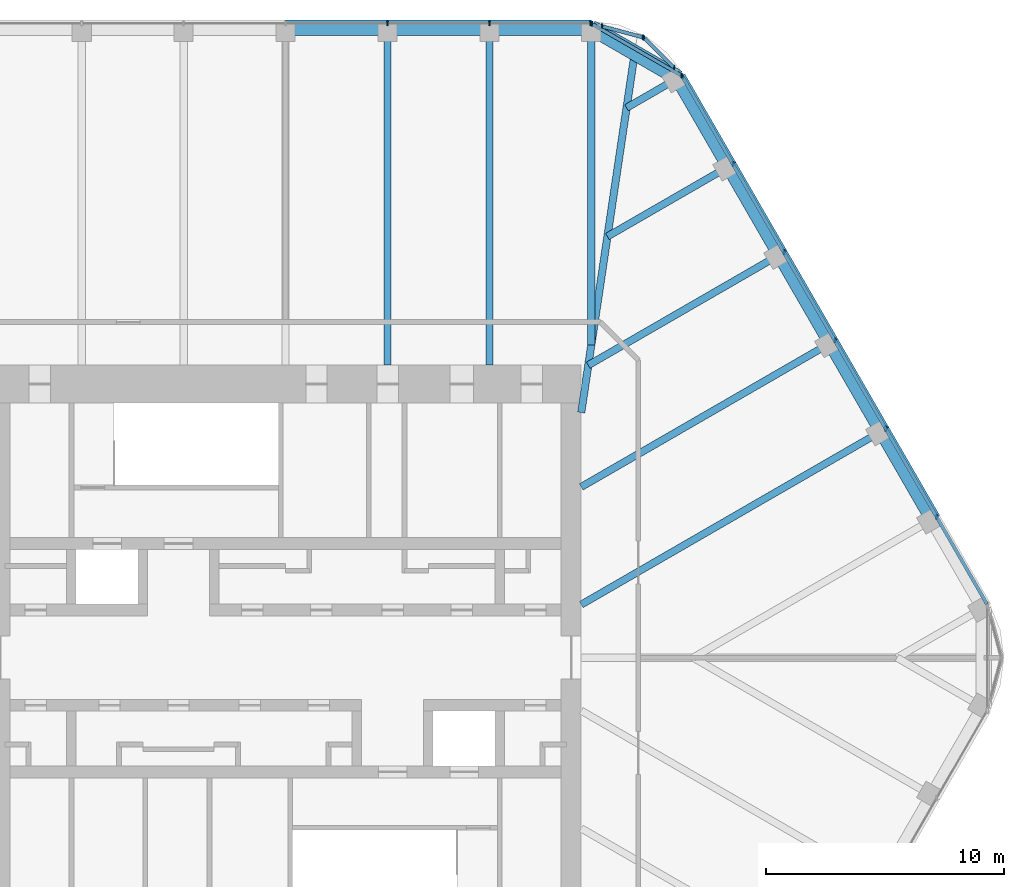
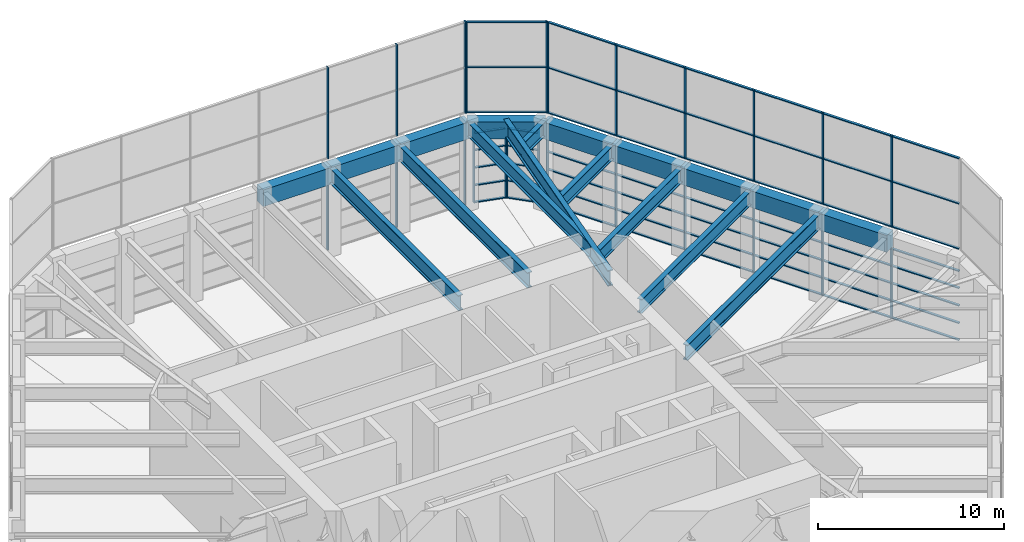
# One storey, part 9 of 17: 45 members, 18 beams, 7 elements without a shape of their own.
"""IFC4 building model written with IfcOpenShell, lengths in metres."""

import ifcopenshell
import ifcopenshell.guid

model = None  # the IFC model being written
_history = None  # IfcOwnerHistory: only IFC2X3 demands one
_inside = {}  # id of a spatial element -> (the spatial element, [elements in it])
_under = {}  # id of a project, library or spatial element -> (it, [spatial elements below it])
_declared = {}  # id of a project -> (the project, [libraries it declares])
_typed = {}  # id of a type object -> (the type object, [elements of that type])
_made_of = {}  # id of a material, layer set ... -> (it, [elements and type objects made of it])


def new_model(schema):
    """Start an empty IFC model of exactly this schema.

    Asked for "IFC4X3", IfcOpenShell would pick the latest addendum, in which some entities
    have other attributes; the version numbers below select the first issue.
    IFC2X3 requires an IfcOwnerHistory on every rooted entity: one is made here for all.
    """
    global model, _history
    if schema == "IFC4X3":
        model = ifcopenshell.file(schema_version=(4, 3, 0, 0))
    else:
        model = ifcopenshell.file(schema=schema)
    _inside.clear()
    _under.clear()
    _declared.clear()
    _typed.clear()
    _made_of.clear()
    _history = None
    if model.schema == "IFC2X3":
        org = make("IfcOrganization", Name="unknown")
        user = make(
            "IfcPersonAndOrganization",
            ThePerson=make("IfcPerson", FamilyName="unknown"),
            TheOrganization=org,
        )
        app = make(
            "IfcApplication",
            ApplicationDeveloper=org,
            Version="unknown",
            ApplicationFullName="unknown",
            ApplicationIdentifier="unknown",
        )
        _history = make(
            "IfcOwnerHistory",
            OwningUser=user,
            OwningApplication=app,
            ChangeAction="ADDED",
            CreationDate=0,
        )
    return model


def make(cls, **values):
    """One entity of the class cls with the attributes given. An attribute that is None is left unset."""
    return model.create_entity(
        cls, **{name: value for name, value in values.items() if value is not None}
    )


def rooted(cls, **values):
    """An entity with a GlobalId (a new one), such as an element, a storey or a relation."""
    return make(cls, GlobalId=ifcopenshell.guid.new(), OwnerHistory=_history, **values)


def si_unit(unit_type, name, prefix=None):
    """IfcSIUnit, for example si_unit("LENGTHUNIT", "METRE", prefix="MILLI")."""
    return make("IfcSIUnit", UnitType=unit_type, Prefix=prefix, Name=name)


def assignment(units):
    """IfcUnitAssignment: the units of a project."""
    return None if units is None else make("IfcUnitAssignment", Units=units)


def point(xyz):
    """IfcCartesianPoint."""
    return None if xyz is None else make("IfcCartesianPoint", Coordinates=xyz)


def direction(xyz):
    """IfcDirection."""
    return None if xyz is None else make("IfcDirection", DirectionRatios=xyz)


def frame(location, z_axis=None, x_axis=None):
    """IfcAxis2Placement3D, a coordinate frame: its origin and axes. An axis left out is left unset."""
    return make(
        "IfcAxis2Placement3D",
        Location=point(location),
        Axis=direction(z_axis),
        RefDirection=direction(x_axis),
    )


def frame_2d(location, x_axis=None):
    """IfcAxis2Placement2D, a coordinate frame in the plane: its origin and x axis."""
    return make(
        "IfcAxis2Placement2D", Location=point(location), RefDirection=direction(x_axis)
    )


def origin():
    """The frame at (0, 0, 0) with its axes left unset."""
    return frame((0.0, 0.0, 0.0))


def origin_2d():
    """The frame at (0, 0) in the plane with its x axis left unset."""
    return frame_2d((0.0, 0.0))


def place(relative_to, where):
    """IfcLocalPlacement: puts the frame where relative to a parent placement (None: the world)."""
    return make(
        "IfcLocalPlacement", PlacementRelTo=relative_to, RelativePlacement=where
    )


def context(
    kind, dimensions, precision=None, world=None, true_north=None, identifier=None
):
    """IfcGeometricRepresentationContext, for example the 3D "Model" context."""
    return make(
        "IfcGeometricRepresentationContext",
        ContextIdentifier=identifier,
        ContextType=kind,
        CoordinateSpaceDimension=dimensions,
        Precision=precision,
        WorldCoordinateSystem=world,
        TrueNorth=true_north,
    )


def subcontext(parent, identifier, kind, view, scale=None):
    """IfcGeometricRepresentationSubContext, for example "Body" below "Model"."""
    return make(
        "IfcGeometricRepresentationSubContext",
        ContextIdentifier=identifier,
        ContextType=kind,
        ParentContext=parent,
        TargetScale=scale,
        TargetView=view,
    )


def project(units=None, contexts=None):
    """IfcProject with its units and contexts."""
    return rooted(
        "IfcProject",
        Name="project",
        RepresentationContexts=contexts,
        UnitsInContext=assignment(units),
    )


def spatial(cls, under=None, at=None, **own):
    """A site, building, storey or space (cls), placed at a placement, below another one or the project."""
    s = rooted(cls, ObjectPlacement=at, **own)
    if under is not None:
        _under.setdefault(under.id(), (under, []))[1].append(s)
    return s


def profile(cls, at=None, kind="AREA", **sizes):
    """A parametric profile (cls). Its sizes go by their IFC names, for example OverallWidth=200.0."""
    return make(cls, ProfileType=kind, Position=at, **sizes)


def rectangle(**sizes):
    """IfcRectangleProfileDef."""
    return profile("IfcRectangleProfileDef", **sizes)


def i_section(**sizes):
    """IfcIShapeProfileDef."""
    return profile("IfcIShapeProfileDef", **sizes)


def extrude(swept, where, along, depth):
    """IfcExtrudedAreaSolid: the profile swept, set in the frame where, extruded along a direction by depth."""
    return make(
        "IfcExtrudedAreaSolid",
        SweptArea=swept,
        Position=where,
        ExtrudedDirection=direction(along),
        Depth=depth,
    )


def shape(context_of_items, identifier, shape_type, items):
    """IfcShapeRepresentation: the items that make up one representation, for example the "Body"."""
    return make(
        "IfcShapeRepresentation",
        ContextOfItems=context_of_items,
        RepresentationIdentifier=identifier,
        RepresentationType=shape_type,
        Items=items,
    )


def material(Name=None, Category=None):
    """IfcMaterial."""
    return make("IfcMaterial", Name=Name, Category=Category)


def material_profile(
    of_material, cross_section, Name=None, Category=None, Priority=None
):
    """IfcMaterialProfile: a cross section and its material."""
    return make(
        "IfcMaterialProfile",
        Name=Name,
        Material=of_material,
        Profile=cross_section,
        Priority=Priority,
        Category=Category,
    )


def profile_set(profiles, Name=None, composite=None):
    """IfcMaterialProfileSet."""
    return make(
        "IfcMaterialProfileSet",
        Name=Name,
        MaterialProfiles=profiles,
        CompositeProfile=composite,
    )


def made_of(thing, what):
    """Note that an element or type object is made of a material, layer set ...; save() writes the relation."""
    if what is not None:
        _made_of.setdefault(what.id(), (what, []))[1].append(thing)
    return thing


def type_object(cls, material=None, **own):
    """A type object (cls), such as IfcWallType, which elements share."""
    return made_of(rooted(cls, **own), material)


def element(
    cls,
    number,
    at=None,
    inside=None,
    cuts=None,
    type_object=None,
    material=None,
    context=None,
    identifier="Body",
    shape_type=None,
    held_by="IfcProductDefinitionShape",
    body=None,
    shapes=None,
    **own,
):
    """One element of the class cls, such as IfcWall. Its Tag is "e" and its number.

    at: its placement. inside: the storey or other place that contains it. cuts: it is an
    opening in that element (IfcRelVoidsElement). A single representation is given by context,
    identifier, shape_type and body (its items); several are given by shapes. held_by: the class
    of the entity that holds the representations. save() writes the other relations.
    """
    e = rooted(cls, Tag="e%d" % number, ObjectPlacement=at, **own)
    if body is not None:
        shapes = [shape(context, identifier, shape_type, body)]
    if shapes is not None:
        e.Representation = make(held_by, Representations=shapes)
    if inside is not None:
        _inside.setdefault(inside.id(), (inside, []))[1].append(e)
    if cuts is not None:
        rooted(
            "IfcRelVoidsElement", RelatingBuildingElement=cuts, RelatedOpeningElement=e
        )
    if type_object is not None:
        _typed.setdefault(type_object.id(), (type_object, []))[1].append(e)
    return made_of(e, material)


def aggregate(whole, parts):
    """IfcRelAggregates: a whole, such as a stair, and the parts it consists of."""
    return rooted("IfcRelAggregates", RelatingObject=whole, RelatedObjects=parts)


def save(model, path):
    """Write the relations noted so far, then the file.

    IfcRelAggregates (storeys below a building ...), IfcRelContainedInSpatialStructure (elements
    in a storey), IfcRelDefinesByType, IfcRelAssociatesMaterial and IfcRelDeclares: one each for
    every whole, place, type object, material and project.
    """
    for whole, parts in _under.values():
        aggregate(whole, parts)
    for where, things in _inside.values():
        rooted(
            "IfcRelContainedInSpatialStructure",
            RelatedElements=things,
            RelatingStructure=where,
        )
    for kind, things in _typed.values():
        rooted("IfcRelDefinesByType", RelatedObjects=things, RelatingType=kind)
    for what, things in _made_of.values():
        rooted("IfcRelAssociatesMaterial", RelatedObjects=things, RelatingMaterial=what)
    for by, libraries in _declared.values():
        rooted("IfcRelDeclares", RelatingContext=by, RelatedDefinitions=libraries)
    model.write(path)


model = new_model("IFC4")

# Units and contexts
model_context = context("Model", 3, precision=1e-05, world=origin(), true_north=direction((0.0, 1.0)))
body_context = subcontext(model_context, "Body", "Model", "MODEL_VIEW")
ifc_project = project(units=[si_unit("LENGTHUNIT", "METRE"), si_unit("AREAUNIT", "SQUARE_METRE"), si_unit("VOLUMEUNIT", "CUBIC_METRE"), si_unit("PLANEANGLEUNIT", "RADIAN"), si_unit("MASSUNIT", "GRAM", prefix="KILO")], contexts=[model_context])

# Site, building, storey
site_placement = place(None, origin())
site = spatial("IfcSite", under=ifc_project, at=site_placement, CompositionType="ELEMENT")
building_placement = place(site_placement, origin())
building = spatial("IfcBuilding", under=site, at=building_placement, Name="Tarfa Lantern Tower", CompositionType="ELEMENT")
storey_placement = place(building_placement, frame((0.0, 0.0, 402.300048828125)))
storey = spatial("IfcBuildingStorey", under=building, at=storey_placement, Name="L91", CompositionType="ELEMENT", Elevation=402.300048828125)

# Curtain wall, members
ifc_material_1 = material(Name="Aluminium framed curtain wall", Category="aluminium")
curtain_wall_type_1 = type_object("IfcCurtainWallType", Name="CW8 LANTERN GLAZING 4600", PredefinedType="USERDEFINED", material=ifc_material_1)
curtain_wall_1_placement = place(storey_placement, origin())
curtain_wall_1 = element("IfcCurtainWall", 1, at=curtain_wall_1_placement, inside=storey, type_object=curtain_wall_type_1, Name="CW8 NEN1 L91", ObjectType="CURTAIN WALL", PredefinedType="USERDEFINED")
ifc_material_2 = material(Name="Aluminium mullion", Category="aluminium")
ifc_material_profile_1 = material_profile(ifc_material_2, rectangle(XDim=0.06494140625, YDim=0.199951171875, at=origin_2d()), Name="AL MULLION 65x200")
ifc_profile_set_1 = profile_set([ifc_material_profile_1], Name="Aluminium mullion")
member_type_1 = type_object("IfcMemberType", Name="CWM1 MULLION 65x200", PredefinedType="MULLION", material=ifc_profile_set_1)
member_1_placement = place(storey_placement, frame((16.32177734375, 24.78466796875, 0.0), z_axis=(0.0, 0.0, 1.0), x_axis=(1.0, 0.0, 0.0)))
member_1 = element("IfcMember", 2, at=member_1_placement, type_object=member_type_1, Name="CW8 mullion 1", PredefinedType="MULLION", context=body_context, shape_type="SweptSolid", body=[
    extrude(rectangle(XDim=0.06494140625, YDim=0.199951171875, at=origin_2d()), origin(), (0.0, 0.0, 1.0), 4.599853515625),
])
member_2_placement = place(storey_placement, frame((15.069091796875, 26.03759765625, 0.0), z_axis=(0.0, 0.0, 1.0), x_axis=(1.0, 0.0, 0.0)))
member_2 = element("IfcMember", 3, at=member_2_placement, type_object=member_type_1, Name="CW8 mullion 2", PredefinedType="MULLION", context=body_context, shape_type="SweptSolid", body=[
    extrude(rectangle(XDim=0.06494140625, YDim=0.199951171875, at=origin_2d()), origin(), (0.0, 0.0, 1.0), 4.599853515625),
])

curtain_wall_2_placement = place(storey_placement, origin())
curtain_wall_2 = element("IfcCurtainWall", 4, at=curtain_wall_2_placement, inside=storey, type_object=curtain_wall_type_1, Name="CW8 NEN2 L91", ObjectType="CURTAIN WALL", PredefinedType="USERDEFINED")
member_3_placement = place(storey_placement, frame((15.0146484375, 26.06884765625, 0.0), z_axis=(0.0, 0.0, 1.0), x_axis=(1.0, 0.0, 0.0)))
member_3 = element("IfcMember", 5, at=member_3_placement, type_object=member_type_1, Name="CW8 mullion 1", PredefinedType="MULLION", context=body_context, shape_type="SweptSolid", body=[
    extrude(rectangle(XDim=0.06494140625, YDim=0.199951171875, at=origin_2d()), origin(), (0.0, 0.0, 1.0), 4.599853515625),
])
member_4_placement = place(storey_placement, frame((13.30322265625, 26.527587890625, 0.0), z_axis=(0.0, 0.0, 1.0), x_axis=(1.0, 0.0, 0.0)))
member_4 = element("IfcMember", 6, at=member_4_placement, type_object=member_type_1, Name="CW8 mullion 2", PredefinedType="MULLION", context=body_context, shape_type="SweptSolid", body=[
    extrude(rectangle(XDim=0.06494140625, YDim=0.199951171875, at=origin_2d()), origin(), (0.0, 0.0, 1.0), 4.599853515625),
])

curtain_wall_3_placement = place(storey_placement, origin())
curtain_wall_3 = element("IfcCurtainWall", 7, at=curtain_wall_3_placement, inside=storey, type_object=curtain_wall_type_1, Name="CW8 NE L91", ObjectType="CURTAIN WALL", PredefinedType="USERDEFINED")
member_5_placement = place(storey_placement, frame((27.361572265625, 5.908447265625, 0.0), z_axis=(0.0, 0.0, 1.0), x_axis=(1.0, 0.0, 0.0)))
member_5 = element("IfcMember", 8, at=member_5_placement, type_object=member_type_1, Name="CW8 mullion 2", PredefinedType="MULLION", context=body_context, shape_type="SweptSolid", body=[
    extrude(rectangle(XDim=0.06494140625, YDim=0.199951171875, at=origin_2d()), origin(), (0.0, 0.0, 1.0), 4.599853515625),
])
member_6_placement = place(storey_placement, frame((25.220703125, 9.61669921875, 0.0), z_axis=(0.0, 0.0, 1.0), x_axis=(1.0, 0.0, 0.0)))
member_6 = element("IfcMember", 9, at=member_6_placement, type_object=member_type_1, Name="CW8 mullion 3", PredefinedType="MULLION", context=body_context, shape_type="SweptSolid", body=[
    extrude(rectangle(XDim=0.06494140625, YDim=0.199951171875, at=origin_2d()), origin(), (0.0, 0.0, 1.0), 4.599853515625),
])
member_7_placement = place(storey_placement, frame((23.07958984375, 13.324951171875, 0.0), z_axis=(0.0, 0.0, 1.0), x_axis=(1.0, 0.0, 0.0)))
member_7 = element("IfcMember", 10, at=member_7_placement, type_object=member_type_1, Name="CW8 mullion 4", PredefinedType="MULLION", context=body_context, shape_type="SweptSolid", body=[
    extrude(rectangle(XDim=0.06494140625, YDim=0.199951171875, at=origin_2d()), origin(), (0.0, 0.0, 1.0), 4.599853515625),
])
member_8_placement = place(storey_placement, frame((20.9384765625, 17.033447265625, 0.0), z_axis=(0.0, 0.0, 1.0), x_axis=(1.0, 0.0, 0.0)))
member_8 = element("IfcMember", 11, at=member_8_placement, type_object=member_type_1, Name="CW8 mullion 5", PredefinedType="MULLION", context=body_context, shape_type="SweptSolid", body=[
    extrude(rectangle(XDim=0.06494140625, YDim=0.199951171875, at=origin_2d()), origin(), (0.0, 0.0, 1.0), 4.599853515625),
])
member_9_placement = place(storey_placement, frame((18.797607421875, 20.74169921875, 0.0), z_axis=(0.0, 0.0, 1.0), x_axis=(1.0, 0.0, 0.0)))
member_9 = element("IfcMember", 12, at=member_9_placement, type_object=member_type_1, Name="CW8 mullion 6", PredefinedType="MULLION", context=body_context, shape_type="SweptSolid", body=[
    extrude(rectangle(XDim=0.06494140625, YDim=0.199951171875, at=origin_2d()), origin(), (0.0, 0.0, 1.0), 4.599853515625),
])
member_10_placement = place(storey_placement, frame((16.6728515625, 24.421875, 0.0), z_axis=(0.0, 0.0, 1.0), x_axis=(1.0, 0.0, 0.0)))
member_10 = element("IfcMember", 13, at=member_10_placement, type_object=member_type_1, Name="CW8 mullion 7", PredefinedType="MULLION", context=body_context, shape_type="SweptSolid", body=[
    extrude(rectangle(XDim=0.06494140625, YDim=0.199951171875, at=origin_2d()), origin(), (0.0, 0.0, 1.0), 4.599853515625),
])

curtain_wall_4_placement = place(storey_placement, origin())
curtain_wall_4 = element("IfcCurtainWall", 14, at=curtain_wall_4_placement, inside=storey, type_object=curtain_wall_type_1, Name="CW8 N L91", ObjectType="CURTAIN WALL", PredefinedType="USERDEFINED")
member_11_placement = place(storey_placement, frame((12.8134765625, 26.64990234375, 0.0), z_axis=(0.0, 0.0, 1.0), x_axis=(1.0, 0.0, 0.0)))
member_11 = element("IfcMember", 15, at=member_11_placement, type_object=member_type_1, Name="CW8 mullion 1", PredefinedType="MULLION", context=body_context, shape_type="SweptSolid", body=[
    extrude(rectangle(XDim=0.06494140625, YDim=0.199951171875, at=origin_2d()), origin(), (0.0, 0.0, 1.0), 4.599853515625),
])
member_12_placement = place(storey_placement, frame((8.56396484375, 26.64990234375, 0.0), z_axis=(0.0, 0.0, 1.0), x_axis=(1.0, 0.0, 0.0)))
member_12 = element("IfcMember", 16, at=member_12_placement, type_object=member_type_1, Name="CW8 mullion 2", PredefinedType="MULLION", context=body_context, shape_type="SweptSolid", body=[
    extrude(rectangle(XDim=0.06494140625, YDim=0.199951171875, at=origin_2d()), origin(), (0.0, 0.0, 1.0), 4.599853515625),
])
member_13_placement = place(storey_placement, frame((4.281982421875, 26.64990234375, 0.0), z_axis=(0.0, 0.0, 1.0), x_axis=(1.0, 0.0, 0.0)))
member_13 = element("IfcMember", 17, at=member_13_placement, type_object=member_type_1, Name="CW8 mullion 3", PredefinedType="MULLION", context=body_context, shape_type="SweptSolid", body=[
    extrude(rectangle(XDim=0.06494140625, YDim=0.199951171875, at=origin_2d()), origin(), (0.0, 0.0, 1.0), 4.599853515625),
])
aggregate(curtain_wall_4, [member_11, member_12, member_13])

curtain_wall_type_2 = type_object("IfcCurtainWallType", Name="CW9 CROWN SCREEN GLAZING 6000", PredefinedType="USERDEFINED", material=ifc_material_1)
curtain_wall_5_placement = place(storey_placement, origin())
curtain_wall_5 = element("IfcCurtainWall", 18, at=curtain_wall_5_placement, inside=storey, type_object=curtain_wall_type_2, Name="CW9 NE L91", ObjectType="CURTAIN WALL", PredefinedType="USERDEFINED")
member_14_placement = place(storey_placement, frame((27.361572265625, 5.908447265625, 6.0), z_axis=(0.0, 0.0, 1.0), x_axis=(1.0, 0.0, 0.0)))
member_14 = element("IfcMember", 19, at=member_14_placement, type_object=member_type_1, Name="CW9 mullion 2", PredefinedType="MULLION", context=body_context, shape_type="SweptSolid", body=[
    extrude(rectangle(XDim=0.06494140625, YDim=0.199951171875, at=origin_2d()), origin(), (0.0, 0.0, 1.0), 6.0),
])
member_15_placement = place(storey_placement, frame((25.220703125, 9.61669921875, 6.0), z_axis=(0.0, 0.0, 1.0), x_axis=(1.0, 0.0, 0.0)))
member_15 = element("IfcMember", 20, at=member_15_placement, type_object=member_type_1, Name="CW9 mullion 3", PredefinedType="MULLION", context=body_context, shape_type="SweptSolid", body=[
    extrude(rectangle(XDim=0.06494140625, YDim=0.199951171875, at=origin_2d()), origin(), (0.0, 0.0, 1.0), 6.0),
])
member_16_placement = place(storey_placement, frame((23.07958984375, 13.324951171875, 6.0), z_axis=(0.0, 0.0, 1.0), x_axis=(1.0, 0.0, 0.0)))
member_16 = element("IfcMember", 21, at=member_16_placement, type_object=member_type_1, Name="CW9 mullion 4", PredefinedType="MULLION", context=body_context, shape_type="SweptSolid", body=[
    extrude(rectangle(XDim=0.06494140625, YDim=0.199951171875, at=origin_2d()), origin(), (0.0, 0.0, 1.0), 6.0),
])
member_17_placement = place(storey_placement, frame((20.9384765625, 17.033447265625, 6.0), z_axis=(0.0, 0.0, 1.0), x_axis=(1.0, 0.0, 0.0)))
member_17 = element("IfcMember", 22, at=member_17_placement, type_object=member_type_1, Name="CW9 mullion 5", PredefinedType="MULLION", context=body_context, shape_type="SweptSolid", body=[
    extrude(rectangle(XDim=0.06494140625, YDim=0.199951171875, at=origin_2d()), origin(), (0.0, 0.0, 1.0), 6.0),
])
member_18_placement = place(storey_placement, frame((18.797607421875, 20.74169921875, 6.0), z_axis=(0.0, 0.0, 1.0), x_axis=(1.0, 0.0, 0.0)))
member_18 = element("IfcMember", 23, at=member_18_placement, type_object=member_type_1, Name="CW9 mullion 6", PredefinedType="MULLION", context=body_context, shape_type="SweptSolid", body=[
    extrude(rectangle(XDim=0.06494140625, YDim=0.199951171875, at=origin_2d()), origin(), (0.0, 0.0, 1.0), 6.0),
])
member_19_placement = place(storey_placement, frame((16.6728515625, 24.421875, 6.0), z_axis=(0.0, 0.0, 1.0), x_axis=(1.0, 0.0, 0.0)))
member_19 = element("IfcMember", 24, at=member_19_placement, type_object=member_type_1, Name="CW9 mullion 7", PredefinedType="MULLION", context=body_context, shape_type="SweptSolid", body=[
    extrude(rectangle(XDim=0.06494140625, YDim=0.199951171875, at=origin_2d()), origin(), (0.0, 0.0, 1.0), 6.0),
])

curtain_wall_6_placement = place(storey_placement, origin())
curtain_wall_6 = element("IfcCurtainWall", 25, at=curtain_wall_6_placement, inside=storey, type_object=curtain_wall_type_2, Name="CW9 N L91", ObjectType="CURTAIN WALL", PredefinedType="USERDEFINED")
member_20_placement = place(storey_placement, frame((12.8134765625, 26.64990234375, 6.0), z_axis=(0.0, 0.0, 1.0), x_axis=(1.0, 0.0, 0.0)))
member_20 = element("IfcMember", 26, at=member_20_placement, type_object=member_type_1, Name="CW9 mullion 1", PredefinedType="MULLION", context=body_context, shape_type="SweptSolid", body=[
    extrude(rectangle(XDim=0.06494140625, YDim=0.199951171875, at=origin_2d()), origin(), (0.0, 0.0, 1.0), 6.0),
])
member_21_placement = place(storey_placement, frame((8.56396484375, 26.64990234375, 6.0), z_axis=(0.0, 0.0, 1.0), x_axis=(1.0, 0.0, 0.0)))
member_21 = element("IfcMember", 27, at=member_21_placement, type_object=member_type_1, Name="CW9 mullion 2", PredefinedType="MULLION", context=body_context, shape_type="SweptSolid", body=[
    extrude(rectangle(XDim=0.06494140625, YDim=0.199951171875, at=origin_2d()), origin(), (0.0, 0.0, 1.0), 6.0),
])
member_22_placement = place(storey_placement, frame((4.281982421875, 26.64990234375, 6.0), z_axis=(0.0, 0.0, 1.0), x_axis=(1.0, 0.0, 0.0)))
member_22 = element("IfcMember", 28, at=member_22_placement, type_object=member_type_1, Name="CW9 mullion 3", PredefinedType="MULLION", context=body_context, shape_type="SweptSolid", body=[
    extrude(rectangle(XDim=0.06494140625, YDim=0.199951171875, at=origin_2d()), origin(), (0.0, 0.0, 1.0), 6.0),
])
aggregate(curtain_wall_6, [member_20, member_21, member_22])

curtain_wall_7_placement = place(storey_placement, origin())
curtain_wall_7 = element("IfcCurtainWall", 29, at=curtain_wall_7_placement, inside=storey, type_object=curtain_wall_type_2, Name="CW9 NEN L91", ObjectType="CURTAIN WALL", PredefinedType="USERDEFINED")
member_23_placement = place(storey_placement, frame((16.62841796875, 24.46630859375, 6.0), z_axis=(0.0, 0.0, 1.0), x_axis=(1.0, 0.0, 0.0)))
member_23 = element("IfcMember", 30, at=member_23_placement, type_object=member_type_1, Name="CW9 mullion 1", PredefinedType="MULLION", context=body_context, shape_type="SweptSolid", body=[
    extrude(rectangle(XDim=0.06494140625, YDim=0.199951171875, at=origin_2d()), origin(), (0.0, 0.0, 1.0), 6.0),
])
member_24_placement = place(storey_placement, frame((12.874267578125, 26.6337890625, 6.0), z_axis=(0.0, 0.0, 1.0), x_axis=(1.0, 0.0, 0.0)))
member_24 = element("IfcMember", 31, at=member_24_placement, type_object=member_type_1, Name="CW9 mullion 2", PredefinedType="MULLION", context=body_context, shape_type="SweptSolid", body=[
    extrude(rectangle(XDim=0.06494140625, YDim=0.199951171875, at=origin_2d()), origin(), (0.0, 0.0, 1.0), 6.0),
])

# Member
ifc_material_3 = material(Name="Aluminium transom", Category="aluminium")
ifc_material_profile_2 = material_profile(ifc_material_3, rectangle(XDim=0.14990234375, YDim=0.06494140625, at=origin_2d()), Name="AL TRANSOM 150x65")
ifc_profile_set_2 = profile_set([ifc_material_profile_2], Name="Aluminium transom")
member_type_2 = type_object("IfcMemberType", Name="CWT1 TRANSOM 150x65", PredefinedType="USERDEFINED", material=ifc_profile_set_2)
member_25_placement = place(storey_placement, frame((16.298828125, 24.8076171875, 0.032470703125), z_axis=(-0.707035258729, 0.70717829641, 0.0), x_axis=(-0.70717829641, -0.707035258729, 0.0)))
member_25 = element("IfcMember", 32, at=member_25_placement, type_object=member_type_2, Name="CW8 transom 1.1", ObjectType="TRANSOM", PredefinedType="USERDEFINED", context=body_context, shape_type="SweptSolid", body=[
    extrude(rectangle(XDim=0.14990234375, YDim=0.06494140625, at=origin_2d()), origin(), (0.0, 0.0, 1.0), 1.706787109375),
])

member_26_placement = place(storey_placement, frame((16.298828125, 24.8076171875, 1.14990234375), z_axis=(-0.707035258729, 0.70717829641, 0.0), x_axis=(-0.70717829641, -0.707035258729, 0.0)))
member_26 = element("IfcMember", 33, at=member_26_placement, type_object=member_type_2, Name="CW8 transom 1.2", ObjectType="TRANSOM", PredefinedType="USERDEFINED", context=body_context, shape_type="SweptSolid", body=[
    extrude(rectangle(XDim=0.14990234375, YDim=0.06494140625, at=origin_2d()), origin(), (0.0, 0.0, 1.0), 1.706787109375),
])

member_27_placement = place(storey_placement, frame((16.298828125, 24.8076171875, 2.300048828125), z_axis=(-0.707035258729, 0.70717829641, 0.0), x_axis=(-0.70717829641, -0.707035258729, 0.0)))
member_27 = element("IfcMember", 34, at=member_27_placement, type_object=member_type_2, Name="CW8 transom 1.3", ObjectType="TRANSOM", PredefinedType="USERDEFINED", context=body_context, shape_type="SweptSolid", body=[
    extrude(rectangle(XDim=0.14990234375, YDim=0.06494140625, at=origin_2d()), origin(), (0.0, 0.0, 1.0), 1.706787109375),
])

member_28_placement = place(storey_placement, frame((16.298828125, 24.8076171875, 3.449951171875), z_axis=(-0.707035258729, 0.70717829641, 0.0), x_axis=(-0.70717829641, -0.707035258729, 0.0)))
member_28 = element("IfcMember", 35, at=member_28_placement, type_object=member_type_2, Name="CW8 transom 1.4", ObjectType="TRANSOM", PredefinedType="USERDEFINED", context=body_context, shape_type="SweptSolid", body=[
    extrude(rectangle(XDim=0.14990234375, YDim=0.06494140625, at=origin_2d()), origin(), (0.0, 0.0, 1.0), 1.706787109375),
])

member_29_placement = place(storey_placement, frame((16.298828125, 24.8076171875, 4.5673828125), z_axis=(-0.707035258729, 0.70717829641, 0.0), x_axis=(-0.70717829641, -0.707035258729, 0.0)))
member_29 = element("IfcMember", 36, at=member_29_placement, type_object=member_type_2, Name="CW8 transom 1.5", ObjectType="TRANSOM", PredefinedType="USERDEFINED", context=body_context, shape_type="SweptSolid", body=[
    extrude(rectangle(XDim=0.14990234375, YDim=0.06494140625, at=origin_2d()), origin(), (0.0, 0.0, 1.0), 1.706787109375),
])

aggregate(curtain_wall_1, [member_1, member_2, member_25, member_26, member_27, member_28, member_29])

member_30_placement = place(storey_placement, frame((14.983154296875, 26.077392578125, 0.032470703125), z_axis=(-0.965932726646, 0.258793291247, 0.0), x_axis=(-0.258793291247, -0.965932726646, 0.0)))
member_30 = element("IfcMember", 37, at=member_30_placement, type_object=member_type_2, Name="CW8 transom 1.1", ObjectType="TRANSOM", PredefinedType="USERDEFINED", context=body_context, shape_type="SweptSolid", body=[
    extrude(rectangle(XDim=0.14990234375, YDim=0.06494140625, at=origin_2d()), origin(), (0.0, 0.0, 1.0), 1.70654296875),
])

member_31_placement = place(storey_placement, frame((14.983154296875, 26.077392578125, 1.14990234375), z_axis=(-0.965932726646, 0.258793291247, 0.0), x_axis=(-0.258793291247, -0.965932726646, 0.0)))
member_31 = element("IfcMember", 38, at=member_31_placement, type_object=member_type_2, Name="CW8 transom 1.2", ObjectType="TRANSOM", PredefinedType="USERDEFINED", context=body_context, shape_type="SweptSolid", body=[
    extrude(rectangle(XDim=0.14990234375, YDim=0.06494140625, at=origin_2d()), origin(), (0.0, 0.0, 1.0), 1.70654296875),
])

member_32_placement = place(storey_placement, frame((14.983154296875, 26.077392578125, 2.300048828125), z_axis=(-0.965932726646, 0.258793291247, 0.0), x_axis=(-0.258793291247, -0.965932726646, 0.0)))
member_32 = element("IfcMember", 39, at=member_32_placement, type_object=member_type_2, Name="CW8 transom 1.3", ObjectType="TRANSOM", PredefinedType="USERDEFINED", context=body_context, shape_type="SweptSolid", body=[
    extrude(rectangle(XDim=0.14990234375, YDim=0.06494140625, at=origin_2d()), origin(), (0.0, 0.0, 1.0), 1.70654296875),
])

member_33_placement = place(storey_placement, frame((14.983154296875, 26.077392578125, 3.449951171875), z_axis=(-0.965932726646, 0.258793291247, 0.0), x_axis=(-0.258793291247, -0.965932726646, 0.0)))
member_33 = element("IfcMember", 40, at=member_33_placement, type_object=member_type_2, Name="CW8 transom 1.4", ObjectType="TRANSOM", PredefinedType="USERDEFINED", context=body_context, shape_type="SweptSolid", body=[
    extrude(rectangle(XDim=0.14990234375, YDim=0.06494140625, at=origin_2d()), origin(), (0.0, 0.0, 1.0), 1.70654296875),
])

member_34_placement = place(storey_placement, frame((14.983154296875, 26.077392578125, 4.5673828125), z_axis=(-0.965932726646, 0.258793291247, 0.0), x_axis=(-0.258793291247, -0.965932726646, 0.0)))
member_34 = element("IfcMember", 41, at=member_34_placement, type_object=member_type_2, Name="CW8 transom 1.5", ObjectType="TRANSOM", PredefinedType="USERDEFINED", context=body_context, shape_type="SweptSolid", body=[
    extrude(rectangle(XDim=0.14990234375, YDim=0.06494140625, at=origin_2d()), origin(), (0.0, 0.0, 1.0), 1.70654296875),
])

aggregate(curtain_wall_2, [member_3, member_4, member_30, member_31, member_32, member_33, member_34])

member_35_placement = place(storey_placement, frame((29.47021484375, 2.25634765625, 0.032470703125), z_axis=(-0.500005475065, 0.866022242731, 0.0), x_axis=(-0.866022242731, -0.500005475065, 0.0)))
member_35 = element("IfcMember", 42, at=member_35_placement, type_object=member_type_2, Name="CW8 transom 1.1", ObjectType="TRANSOM", PredefinedType="USERDEFINED", context=body_context, shape_type="SweptSolid", body=[
    extrude(rectangle(XDim=0.14990234375, YDim=0.06494140625, at=origin_2d()), origin(), (0.0, 0.0, 1.0), 25.562255859375),
])

member_36_placement = place(storey_placement, frame((29.47021484375, 2.25634765625, 1.14990234375), z_axis=(-0.500005475065, 0.866022242731, 0.0), x_axis=(-0.866022242731, -0.500005475065, 0.0)))
member_36 = element("IfcMember", 43, at=member_36_placement, type_object=member_type_2, Name="CW8 transom 1.2", ObjectType="TRANSOM", PredefinedType="USERDEFINED", context=body_context, shape_type="SweptSolid", body=[
    extrude(rectangle(XDim=0.14990234375, YDim=0.06494140625, at=origin_2d()), origin(), (0.0, 0.0, 1.0), 25.562255859375),
])

member_37_placement = place(storey_placement, frame((29.47021484375, 2.25634765625, 2.300048828125), z_axis=(-0.500005475065, 0.866022242731, 0.0), x_axis=(-0.866022242731, -0.500005475065, 0.0)))
member_37 = element("IfcMember", 44, at=member_37_placement, type_object=member_type_2, Name="CW8 transom 1.3", ObjectType="TRANSOM", PredefinedType="USERDEFINED", context=body_context, shape_type="SweptSolid", body=[
    extrude(rectangle(XDim=0.14990234375, YDim=0.06494140625, at=origin_2d()), origin(), (0.0, 0.0, 1.0), 25.562255859375),
])

member_38_placement = place(storey_placement, frame((29.47021484375, 2.25634765625, 3.449951171875), z_axis=(-0.500005475065, 0.866022242731, 0.0), x_axis=(-0.866022242731, -0.500005475065, 0.0)))
member_38 = element("IfcMember", 45, at=member_38_placement, type_object=member_type_2, Name="CW8 transom 1.4", ObjectType="TRANSOM", PredefinedType="USERDEFINED", context=body_context, shape_type="SweptSolid", body=[
    extrude(rectangle(XDim=0.14990234375, YDim=0.06494140625, at=origin_2d()), origin(), (0.0, 0.0, 1.0), 25.562255859375),
])

member_39_placement = place(storey_placement, frame((29.47021484375, 2.25634765625, 4.5673828125), z_axis=(-0.500005475065, 0.866022242731, 0.0), x_axis=(-0.866022242731, -0.500005475065, 0.0)))
member_39 = element("IfcMember", 46, at=member_39_placement, type_object=member_type_2, Name="CW8 transom 1.5", ObjectType="TRANSOM", PredefinedType="USERDEFINED", context=body_context, shape_type="SweptSolid", body=[
    extrude(rectangle(XDim=0.14990234375, YDim=0.06494140625, at=origin_2d()), origin(), (0.0, 0.0, 1.0), 25.562255859375),
])

aggregate(curtain_wall_3, [member_5, member_6, member_7, member_8, member_9, member_10, member_35, member_36, member_37, member_38, member_39])

member_40_placement = place(storey_placement, frame((29.47021484375, 2.25634765625, 6.032470703125), z_axis=(-0.500005475065, 0.866022242731, 0.0), x_axis=(-0.866022242731, -0.500005475065, 0.0)))
member_40 = element("IfcMember", 47, at=member_40_placement, type_object=member_type_2, Name="CW9 transom 1.1", ObjectType="TRANSOM", PredefinedType="USERDEFINED", context=body_context, shape_type="SweptSolid", body=[
    extrude(rectangle(XDim=0.14990234375, YDim=0.06494140625, at=origin_2d()), origin(), (0.0, 0.0, 1.0), 25.562255859375),
])

member_41_placement = place(storey_placement, frame((29.47021484375, 2.25634765625, 9.0), z_axis=(-0.500005475065, 0.866022242731, 0.0), x_axis=(-0.866022242731, -0.500005475065, 0.0)))
member_41 = element("IfcMember", 48, at=member_41_placement, type_object=member_type_2, Name="CW9 transom 1.2", ObjectType="TRANSOM", PredefinedType="USERDEFINED", context=body_context, shape_type="SweptSolid", body=[
    extrude(rectangle(XDim=0.14990234375, YDim=0.06494140625, at=origin_2d()), origin(), (0.0, 0.0, 1.0), 25.562255859375),
])

member_42_placement = place(storey_placement, frame((29.47021484375, 2.25634765625, 11.967529296875), z_axis=(-0.500005475065, 0.866022242731, 0.0), x_axis=(-0.866022242731, -0.500005475065, 0.0)))
member_42 = element("IfcMember", 49, at=member_42_placement, type_object=member_type_2, Name="CW9 transom 1.3", ObjectType="TRANSOM", PredefinedType="USERDEFINED", context=body_context, shape_type="SweptSolid", body=[
    extrude(rectangle(XDim=0.14990234375, YDim=0.06494140625, at=origin_2d()), origin(), (0.0, 0.0, 1.0), 25.562255859375),
])

aggregate(curtain_wall_5, [member_14, member_15, member_16, member_17, member_18, member_19, member_40, member_41, member_42])

member_43_placement = place(storey_placement, frame((16.600341796875, 24.482421875, 6.032470703125), z_axis=(-0.866028486751, 0.499994660107, 0.0), x_axis=(-0.499994660107, -0.866028486751, 0.0)))
member_43 = element("IfcMember", 50, at=member_43_placement, type_object=member_type_2, Name="CW9 transom 1.1", ObjectType="TRANSOM", PredefinedType="USERDEFINED", context=body_context, shape_type="SweptSolid", body=[
    extrude(rectangle(XDim=0.14990234375, YDim=0.06494140625, at=origin_2d()), origin(), (0.0, 0.0, 1.0), 4.27001953125),
])

member_44_placement = place(storey_placement, frame((16.600341796875, 24.482421875, 9.0), z_axis=(-0.866028486751, 0.499994660107, 0.0), x_axis=(-0.499994660107, -0.866028486751, 0.0)))
member_44 = element("IfcMember", 51, at=member_44_placement, type_object=member_type_2, Name="CW9 transom 1.2", ObjectType="TRANSOM", PredefinedType="USERDEFINED", context=body_context, shape_type="SweptSolid", body=[
    extrude(rectangle(XDim=0.14990234375, YDim=0.06494140625, at=origin_2d()), origin(), (0.0, 0.0, 1.0), 4.27001953125),
])

member_45_placement = place(storey_placement, frame((16.600341796875, 24.482421875, 11.967529296875), z_axis=(-0.866028486751, 0.499994660107, 0.0), x_axis=(-0.499994660107, -0.866028486751, 0.0)))
member_45 = element("IfcMember", 52, at=member_45_placement, type_object=member_type_2, Name="CW9 transom 1.3", ObjectType="TRANSOM", PredefinedType="USERDEFINED", context=body_context, shape_type="SweptSolid", body=[
    extrude(rectangle(XDim=0.14990234375, YDim=0.06494140625, at=origin_2d()), origin(), (0.0, 0.0, 1.0), 4.27001953125),
])

aggregate(curtain_wall_7, [member_23, member_24, member_43, member_44, member_45])

# Beams
ifc_material_4 = material(Name="Concrete C80/95", Category="concrete")
ifc_material_profile_3 = material_profile(ifc_material_4, rectangle(XDim=0.64990234375, YDim=1.10009765625, at=origin_2d()), Name="RC 650x1100")
ifc_profile_set_3 = profile_set([ifc_material_profile_3], Name="Concrete C80/95")
beam_type_1 = type_object("IfcBeamType", Name="EB4 RC 650x1100", PredefinedType="SPANDREL", material=ifc_profile_set_3)
beam_1_placement = place(storey_placement, frame((27.205810546875, 5.818359375, 5.14990234375), z_axis=(-0.500026801138, 0.866009929587, 0.0), x_axis=(-0.866009929587, -0.500026801138, 0.0)))
element("IfcBeam", 53, at=beam_1_placement, inside=storey, type_object=beam_type_1, Name="Edge beam NE1", PredefinedType="SPANDREL", context=body_context, shape_type="SweptSolid", body=[
    extrude(rectangle(XDim=0.64990234375, YDim=1.10009765625, at=origin_2d()), origin(), (0.0, 0.0, 1.0), 4.281982421875),
])
beam_2_placement = place(storey_placement, frame((25.064697265625, 9.526611328125, 5.14990234375), z_axis=(-0.500002112793, 0.866024183959, 0.0), x_axis=(-0.866024183959, -0.500002112793, 0.0)))
element("IfcBeam", 54, at=beam_2_placement, inside=storey, type_object=beam_type_1, Name="Edge beam NE2", PredefinedType="SPANDREL", context=body_context, shape_type="SweptSolid", body=[
    extrude(rectangle(XDim=0.64990234375, YDim=1.10009765625, at=origin_2d()), origin(), (0.0, 0.0, 1.0), 4.2822265625),
])
for number, where, z_axis, x_axis, name in (
    (55, (22.923583984375, 13.235107421875, 5.14990234375), (-0.499984039138, 0.866034618596, 0.0), (-0.866034618596, -0.499984039138, 0.0), "Edge beam NE3"),
    (56, (20.78271484375, 16.943359375, 5.14990234375), (-0.500026801138, 0.866009929587, 0.0), (-0.866009929587, -0.500026801138, 0.0), "Edge beam NE4"),
    (57, (18.6416015625, 20.651611328125, 5.14990234375), (-0.499959351497, 0.866048870937, 0.0), (-0.866048870937, -0.499959351497, 0.0), "Edge beam NE5"),
):
    element("IfcBeam", number, at=place(storey_placement, frame(where, z_axis=z_axis, x_axis=x_axis)), inside=storey, type_object=beam_type_1, Name=name, PredefinedType="SPANDREL", context=body_context, shape_type="SweptSolid", body=[
        extrude(rectangle(XDim=0.64990234375, YDim=1.10009765625, at=origin_2d()), origin(), (0.0, 0.0, 1.0), 4.281982421875),
    ])
beam_3_placement = place(storey_placement, frame((16.500732421875, 24.360107421875, 5.14990234375), z_axis=(-0.866048788483, 0.499959494327, 0.0), x_axis=(-0.499959494327, -0.866048788483, 0.0)))
element("IfcBeam", 58, at=beam_3_placement, inside=storey, type_object=beam_type_1, Name="Edge beam NE6", PredefinedType="SPANDREL", context=body_context, shape_type="SweptSolid", body=[
    extrude(rectangle(XDim=0.64990234375, YDim=1.10009765625, at=origin_2d()), origin(), (0.0, 0.0, 1.0), 4.219970703125),
])
for number, where, z_axis, x_axis, name in (
    (59, (12.845947265625, 26.469970703125, 5.14990234375), (-1.0, 0.0, 0.0), (0.0, -1.0, 0.0), "Edge beam N0"),
    (60, (8.56396484375, 26.469970703125, 5.14990234375), (-1.0, 0.0, 0.0), (0.0, -1.0, 0.0), "Edge beam N1"),
    (61, (4.281982421875, 26.469970703125, 5.14990234375), (-1.0, 0.0, 0.0), (0.0, -1.0, 0.0), "Edge beam N2"),
):
    element("IfcBeam", number, at=place(storey_placement, frame(where, z_axis=z_axis, x_axis=x_axis)), inside=storey, type_object=beam_type_1, Name=name, PredefinedType="SPANDREL", context=body_context, shape_type="SweptSolid", body=[
        extrude(rectangle(XDim=0.64990234375, YDim=1.10009765625, at=origin_2d()), origin(), (0.0, 0.0, 1.0), 4.281982421875),
    ])
ifc_material_5 = material(Name="Steel S460M", Category="steel")
ifc_material_profile_4 = material_profile(ifc_material_5, i_section(OverallWidth=0.302001953125, OverallDepth=1.008056640625, WebThickness=0.02099609375, FlangeThickness=0.0400390625, FilletRadius=0.030029296875, at=origin_2d()), Name="UB1016x305x349")
ifc_profile_set_4 = profile_set([ifc_material_profile_4], Name="Steel S460M")
beam_type_2 = type_object("IfcBeamType", Name="UB1016x305x349", PredefinedType="BEAM", material=ifc_profile_set_4)
beam_4_placement = place(storey_placement, frame((25.064697265625, 9.526611328125, 5.19580078125), z_axis=(-0.866029591389, -0.499992746786, 0.0), x_axis=(0.499992746786, -0.866029591389, 0.0)))
element("IfcBeam", 62, at=beam_4_placement, inside=storey, type_object=beam_type_2, Name="Floor beam NE2", PredefinedType="BEAM", context=body_context, shape_type="SweptSolid", body=[
    extrude(i_section(OverallWidth=0.302001953125, OverallDepth=1.008056640625, WebThickness=0.02099609375, FlangeThickness=0.0400390625, FilletRadius=0.030029296875, at=origin_2d()), origin(), (0.0, 0.0, 1.0), 14.594970703125),
])
for number, where, z_axis, x_axis, name in (
    (63, (8.56396484375, 26.469970703125, 5.19580078125), (0.0, -1.0, 0.0), (1.0, 0.0, 0.0), "Floor beam N1"),
    (64, (4.281982421875, 26.469970703125, 5.19580078125), (0.0, -1.0, 0.0), (1.0, 0.0, 0.0), "Floor beam N2"),
):
    element("IfcBeam", number, at=place(storey_placement, frame(where, z_axis=z_axis, x_axis=x_axis)), inside=storey, type_object=beam_type_2, Name=name, PredefinedType="BEAM", context=body_context, shape_type="SweptSolid", body=[
        extrude(i_section(OverallWidth=0.302001953125, OverallDepth=1.008056640625, WebThickness=0.02099609375, FlangeThickness=0.0400390625, FilletRadius=0.030029296875, at=origin_2d()), origin(), (0.0, 0.0, 1.0), 14.169921875),
    ])
ifc_material_profile_5 = material_profile(ifc_material_5, i_section(OverallWidth=0.30859375, OverallDepth=1.036376953125, WebThickness=0.030029296875, FlangeThickness=0.05419921875, FilletRadius=0.030029296875, at=origin_2d()), Name="UB1016x305x487")
ifc_profile_set_5 = profile_set([ifc_material_profile_5], Name="Steel S460M")
beam_type_3 = type_object("IfcBeamType", Name="UB1016x305x487", PredefinedType="BEAM", material=ifc_profile_set_5)
beam_5_placement = place(storey_placement, frame((12.425048828125, 10.300048828125, 5.181884765625), z_axis=(0.147127069073, 0.989117599452, 0.0), x_axis=(-0.989117599452, 0.147127069073, 0.0)))
element("IfcBeam", 65, at=beam_5_placement, inside=storey, type_object=beam_type_3, Name="Hip girder NE", PredefinedType="BEAM", context=body_context, shape_type="SweptSolid", body=[
    extrude(i_section(OverallWidth=0.30859375, OverallDepth=1.036376953125, WebThickness=0.030029296875, FlangeThickness=0.05419921875, FilletRadius=0.030029296875, at=origin_2d()), origin(), (0.0, 0.0, 1.0), 15.28125),
])
ifc_material_profile_6 = material_profile(ifc_material_5, i_section(OverallWidth=0.305419921875, OverallDepth=0.91845703125, WebThickness=0.017333984375, FlangeThickness=0.02783203125, FilletRadius=0.01904296875, at=origin_2d()), Name="UB914x305x253")
ifc_profile_set_6 = profile_set([ifc_material_profile_6], Name="Steel S460M")
beam_type_4 = type_object("IfcBeamType", Name="UB914x305x253", PredefinedType="BEAM", material=ifc_profile_set_6)
beam_6_placement = place(storey_placement, frame((22.923583984375, 13.235107421875, 5.24072265625), z_axis=(-0.86601856927, -0.500011837539, 0.0), x_axis=(0.500011837539, -0.86601856927, 0.0)))
element("IfcBeam", 66, at=beam_6_placement, inside=storey, type_object=beam_type_4, Name="Floor beam NE3", PredefinedType="BEAM", context=body_context, shape_type="SweptSolid", body=[
    extrude(i_section(OverallWidth=0.305419921875, OverallDepth=0.91845703125, WebThickness=0.017333984375, FlangeThickness=0.02783203125, FilletRadius=0.01904296875, at=origin_2d()), origin(), (0.0, 0.0, 1.0), 12.122802734375),
])
beam_7_placement = place(storey_placement, frame((20.78271484375, 16.943359375, 5.24072265625), z_axis=(-0.866021806508, -0.500006230613, 0.0), x_axis=(0.500006230613, -0.866021806508, 0.0)))
element("IfcBeam", 67, at=beam_7_placement, inside=storey, type_object=beam_type_4, Name="Floor beam NE4", PredefinedType="BEAM", context=body_context, shape_type="SweptSolid", body=[
    extrude(i_section(OverallWidth=0.305419921875, OverallDepth=0.91845703125, WebThickness=0.017333984375, FlangeThickness=0.02783203125, FilletRadius=0.01904296875, at=origin_2d()), origin(), (0.0, 0.0, 1.0), 9.30908203125),
])
beam_8_placement = place(storey_placement, frame((18.6416015625, 20.651611328125, 5.24072265625), z_axis=(-0.866024549157, -0.500001480256, 0.0), x_axis=(0.500001480256, -0.866024549157, 0.0)))
element("IfcBeam", 68, at=beam_8_placement, inside=storey, type_object=beam_type_4, Name="Floor beam NE5", PredefinedType="BEAM", context=body_context, shape_type="SweptSolid", body=[
    extrude(i_section(OverallWidth=0.305419921875, OverallDepth=0.91845703125, WebThickness=0.017333984375, FlangeThickness=0.02783203125, FilletRadius=0.01904296875, at=origin_2d()), origin(), (0.0, 0.0, 1.0), 5.90771484375),
])
beam_9_placement = place(storey_placement, frame((16.500732421875, 24.360107421875, 5.24072265625), z_axis=(-0.865992557167, -0.500056887695, 0.0), x_axis=(0.500056887695, -0.865992557167, 0.0)))
element("IfcBeam", 69, at=beam_9_placement, inside=storey, type_object=beam_type_4, Name="Floor beam NE6", PredefinedType="BEAM", context=body_context, shape_type="SweptSolid", body=[
    extrude(i_section(OverallWidth=0.305419921875, OverallDepth=0.91845703125, WebThickness=0.017333984375, FlangeThickness=0.02783203125, FilletRadius=0.01904296875, at=origin_2d()), origin(), (0.0, 0.0, 1.0), 2.506591796875),
])
beam_10_placement = place(storey_placement, frame((12.845947265625, 26.469970703125, 5.24072265625), z_axis=(0.0, -1.0, 0.0), x_axis=(1.0, 0.0, 0.0)))
element("IfcBeam", 70, at=beam_10_placement, inside=storey, type_object=beam_type_4, Name="Floor beam N0", PredefinedType="BEAM", context=body_context, shape_type="SweptSolid", body=[
    extrude(i_section(OverallWidth=0.305419921875, OverallDepth=0.91845703125, WebThickness=0.017333984375, FlangeThickness=0.02783203125, FilletRadius=0.01904296875, at=origin_2d()), origin(), (0.0, 0.0, 1.0), 13.33935546875),
])

save(model, "model.ifc")
